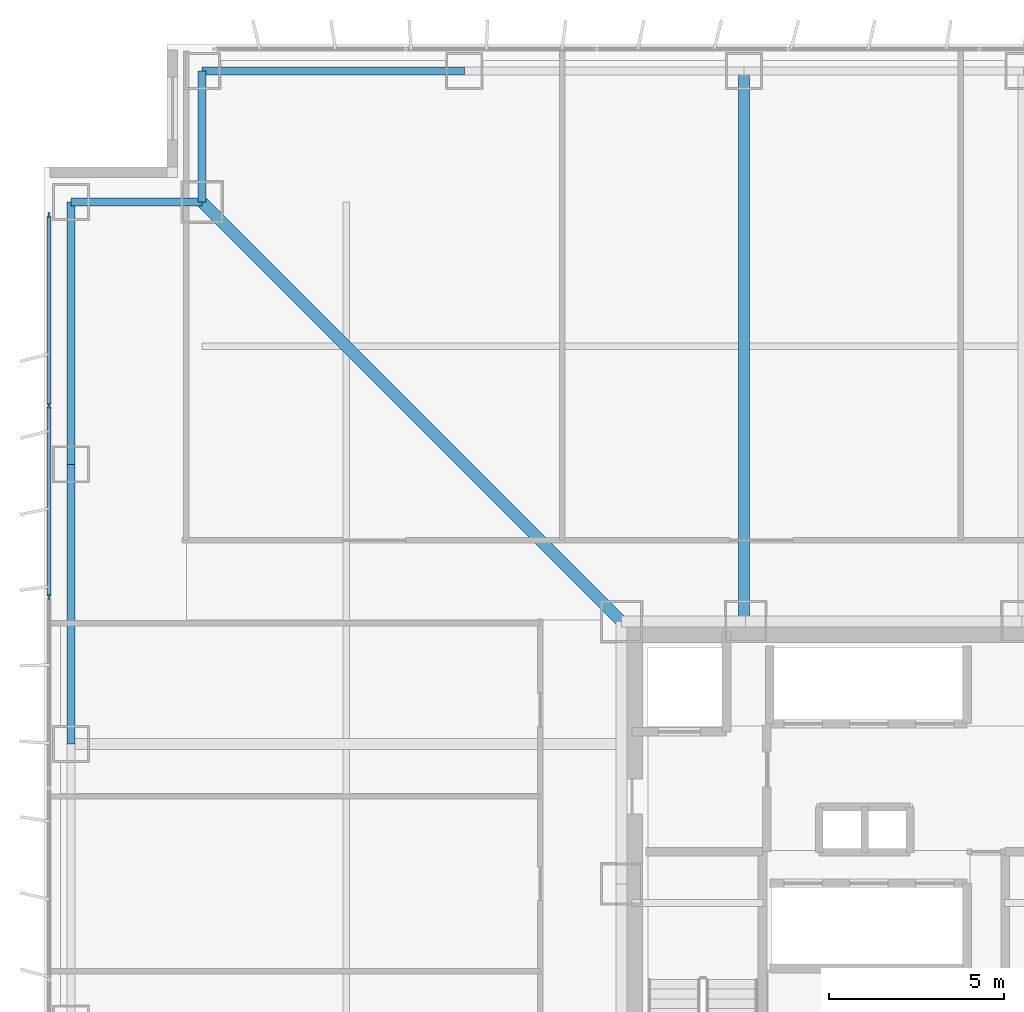
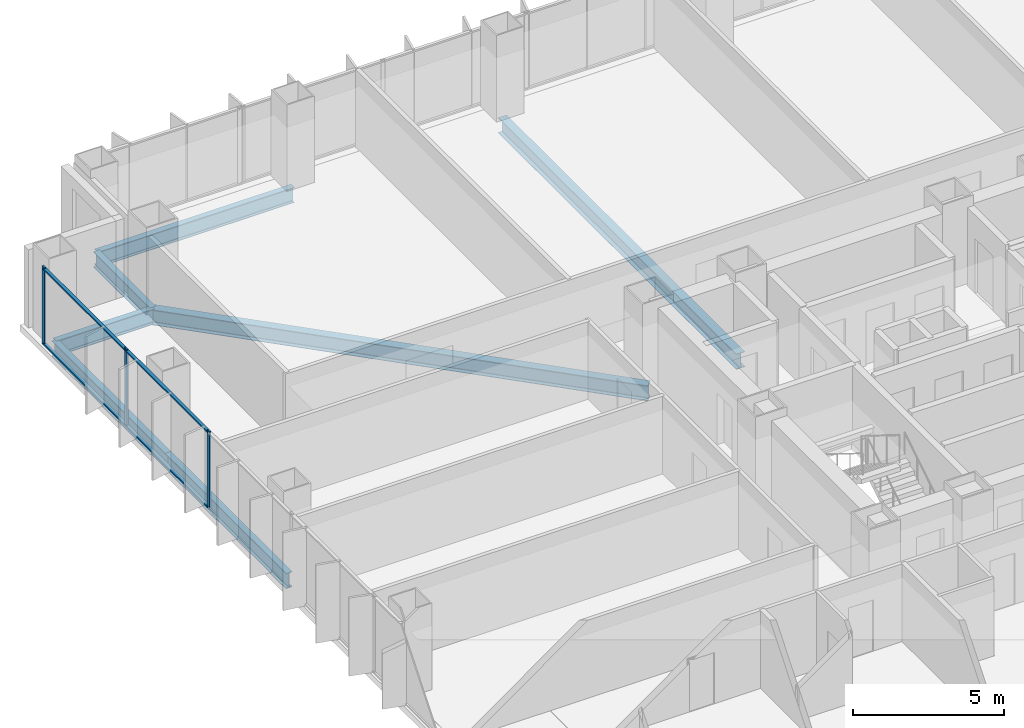
# One storey, part 9 of 19: 7 beams, 7 members, 1 element without a shape of its own.
"""IFC4 building model written with IfcOpenShell, lengths in metres."""

from ifc_helpers import new_model, si_unit, direction, frame, origin, origin_2d, place, context, subcontext, project, spatial, rectangle, i_section, extrude, material, layer, layer_set, material_profile, profile_set, type_object, element, aggregate, save


model = new_model("IFC4")

# Units and contexts
model_context = context("Model", 3, precision=1e-05, world=origin(), true_north=direction((0.0, 1.0)))
body_context = subcontext(model_context, "Body", "Model", "MODEL_VIEW")
ifc_project = project(units=[si_unit("LENGTHUNIT", "METRE"), si_unit("AREAUNIT", "SQUARE_METRE"), si_unit("VOLUMEUNIT", "CUBIC_METRE"), si_unit("PLANEANGLEUNIT", "RADIAN"), si_unit("MASSUNIT", "GRAM", prefix="KILO")], contexts=[model_context])

# Site, building, storey
site_placement = place(None, origin())
site = spatial("IfcSite", under=ifc_project, at=site_placement, CompositionType="ELEMENT")
building_placement = place(site_placement, origin())
building = spatial("IfcBuilding", under=site, at=building_placement, Name="Trevonay Congress Spire", CompositionType="ELEMENT")
storey_placement = place(building_placement, frame((0.0, 0.0, 79.5)))
storey = spatial("IfcBuildingStorey", under=building, at=storey_placement, Name="L20", CompositionType="ELEMENT", Elevation=79.5)

# Beams
ifc_material_1 = material(Name="Steel ASTM A572 Grade 50", Category="steel")
ifc_material_profile_1 = material_profile(ifc_material_1, i_section(OverallWidth=0.324951171875, OverallDepth=0.615966796875, WebThickness=0.013916015625, FlangeThickness=0.021484375, FilletRadius=0.01806640625, at=origin_2d()), Name="W610x174")
ifc_profile_set_1 = profile_set([ifc_material_profile_1], Name="Steel ASTM A572 Grade 50")
beam_type_1 = type_object("IfcBeamType", Name="BM-GIRD-W610X174", PredefinedType="BEAM", material=ifc_profile_set_1)
beam_1_placement = place(storey_placement, frame((-7.5, 7.5, -0.55810546875), z_axis=(-0.707106781187, 0.707106781187, 0.0), x_axis=(-0.707106781187, -0.707106781187, 0.0)))
element("IfcBeam", 1, at=beam_1_placement, inside=storey, type_object=beam_type_1, Name="L20 structural beam BM-L20-CDNW", PredefinedType="BEAM", context=body_context, shape_type="SweptSolid", body=[
    extrude(i_section(OverallWidth=0.324951171875, OverallDepth=0.615966796875, WebThickness=0.013916015625, FlangeThickness=0.021484375, FilletRadius=0.01806640625, at=origin_2d()), origin(), (0.0, 0.0, 1.0), 16.970458984375),
])
beam_2_placement = place(storey_placement, frame((-4.0, 7.5, -0.55810546875), z_axis=(0.0, 1.0, 0.0), x_axis=(-1.0, 0.0, 0.0)))
element("IfcBeam", 2, at=beam_2_placement, inside=storey, type_object=beam_type_1, Name="L20 structural beam BM-L20-GN-M", PredefinedType="BEAM", context=body_context, shape_type="SweptSolid", body=[
    extrude(i_section(OverallWidth=0.324951171875, OverallDepth=0.615966796875, WebThickness=0.013916015625, FlangeThickness=0.021484375, FilletRadius=0.01806640625, at=origin_2d()), origin(), (0.0, 0.0, 1.0), 15.75),
])
ifc_material_profile_2 = material_profile(ifc_material_1, i_section(OverallWidth=0.22998046875, OverallDepth=0.616943359375, WebThickness=0.01318359375, FlangeThickness=0.022216796875, FilletRadius=0.01611328125, at=origin_2d()), Name="W610x140")
ifc_profile_set_2 = profile_set([ifc_material_profile_2], Name="Steel ASTM A572 Grade 50")
beam_type_2 = type_object("IfcBeamType", Name="BM-RING-W610X140", PredefinedType="BEAM", material=ifc_profile_set_2)
beam_3_placement = place(storey_placement, frame((-19.5, 23.25, -0.55859375), z_axis=(1.0, 0.0, 0.0), x_axis=(0.0, 1.0, 0.0)))
element("IfcBeam", 3, at=beam_3_placement, inside=storey, type_object=beam_type_2, Name="L20 structural beam BM-L20-PN1", PredefinedType="BEAM", context=body_context, shape_type="SweptSolid", body=[
    extrude(i_section(OverallWidth=0.22998046875, OverallDepth=0.616943359375, WebThickness=0.01318359375, FlangeThickness=0.022216796875, FilletRadius=0.01611328125, at=origin_2d()), origin(), (0.0, 0.0, 1.0), 7.5),
])
beam_4_placement = place(storey_placement, frame((-23.25, 4.0, -0.55859375), z_axis=(0.0, 1.0, 0.0), x_axis=(-1.0, 0.0, 0.0)))
element("IfcBeam", 4, at=beam_4_placement, inside=storey, type_object=beam_type_2, Name="L20 structural beam BM-L20-PW4", PredefinedType="BEAM", context=body_context, shape_type="SweptSolid", body=[
    extrude(i_section(OverallWidth=0.22998046875, OverallDepth=0.616943359375, WebThickness=0.01318359375, FlangeThickness=0.022216796875, FilletRadius=0.01611328125, at=origin_2d()), origin(), (0.0, 0.0, 1.0), 8.0),
])
beam_5_placement = place(storey_placement, frame((-23.25, 12.0, -0.55859375), z_axis=(0.0, 1.0, 0.0), x_axis=(-1.0, 0.0, 0.0)))
element("IfcBeam", 5, at=beam_5_placement, inside=storey, type_object=beam_type_2, Name="L20 structural beam BM-L20-PW5", PredefinedType="BEAM", context=body_context, shape_type="SweptSolid", body=[
    extrude(i_section(OverallWidth=0.22998046875, OverallDepth=0.616943359375, WebThickness=0.01318359375, FlangeThickness=0.022216796875, FilletRadius=0.01611328125, at=origin_2d()), origin(), (0.0, 0.0, 1.0), 7.5),
])
for number, where, z_axis, x_axis, name in (
    (6, (-19.5, 23.25, -0.55859375), (0.0, -1.0, 0.0), (1.0, 0.0, 0.0), "L20 structural beam BM-L20-N1NW"),
    (7, (-23.25, 19.5, -0.55859375), (1.0, 0.0, 0.0), (0.0, 1.0, 0.0), "L20 structural beam BM-L20-N2NW"),
):
    element("IfcBeam", number, at=place(storey_placement, frame(where, z_axis=z_axis, x_axis=x_axis)), inside=storey, type_object=beam_type_2, Name=name, PredefinedType="BEAM", context=body_context, shape_type="SweptSolid", body=[
        extrude(i_section(OverallWidth=0.22998046875, OverallDepth=0.616943359375, WebThickness=0.01318359375, FlangeThickness=0.022216796875, FilletRadius=0.01611328125, at=origin_2d()), origin(), (0.0, 0.0, 1.0), 3.75),
    ])

# Curtain wall, members
ifc_material_2 = material(Name="Pale Anodised Aluminium EN AW-6063-T6", Category="aluminium")
ifc_layer = layer(ifc_material_2, 0.179931640625, Name="Pale Anodised Aluminium EN AW-6063-T6")
ifc_layer_set = layer_set([ifc_layer], Name="Pale Anodised Aluminium EN AW-6063-T6")
curtain_wall_type = type_object("IfcCurtainWallType", Name="CW-SYS02-HOTEL-PALE-METAL", PredefinedType="NOTDEFINED", material=ifc_layer_set)
curtain_wall_placement = place(storey_placement, origin())
curtain_wall = element("IfcCurtainWall", 8, at=curtain_wall_placement, inside=storey, type_object=curtain_wall_type, Name="L20 W unitised curtain wall", PredefinedType="NOTDEFINED")
ifc_material_profile_3 = material_profile(ifc_material_2, rectangle(XDim=0.06005859375, YDim=0.159912109375, at=origin_2d()), Name="CW-MULLION-160-ALUMINIUM")
ifc_profile_set_3 = profile_set([ifc_material_profile_3], Name="Pale Anodised Aluminium EN AW-6063-T6")
member_type_1 = type_object("IfcMemberType", Name="CW-MULLION-160-ALUMINIUM", PredefinedType="MULLION", material=ifc_profile_set_3)
member_1_placement = place(storey_placement, frame((-23.8798828125, 8.20703125, 0.0), z_axis=(0.0, 0.0, 1.0), x_axis=(-1.0, 0.0, 0.0)))
member_1 = element("IfcMember", 9, at=member_1_placement, type_object=member_type_1, Name="CW02 mullion 6", PredefinedType="MULLION", context=body_context, shape_type="SweptSolid", body=[
    extrude(rectangle(XDim=0.06005859375, YDim=0.159912109375, at=origin_2d()), origin(), (0.0, 0.0, 1.0), 3.14990234375),
])
member_2_placement = place(storey_placement, frame((-23.8798828125, 13.678466796875, 0.0), z_axis=(0.0, 0.0, 1.0), x_axis=(-1.0, 0.0, 0.0)))
member_2 = element("IfcMember", 10, at=member_2_placement, type_object=member_type_1, Name="CW02 mullion 7", PredefinedType="MULLION", context=body_context, shape_type="SweptSolid", body=[
    extrude(rectangle(XDim=0.06005859375, YDim=0.159912109375, at=origin_2d()), origin(), (0.0, 0.0, 1.0), 3.14990234375),
])
member_3_placement = place(storey_placement, frame((-23.8798828125, 19.1201171875, 0.0), z_axis=(0.0, 0.0, 1.0), x_axis=(-1.0, 0.0, 0.0)))
member_3 = element("IfcMember", 11, at=member_3_placement, type_object=member_type_1, Name="CW02 mullion 8", PredefinedType="MULLION", context=body_context, shape_type="SweptSolid", body=[
    extrude(rectangle(XDim=0.06005859375, YDim=0.159912109375, at=origin_2d()), origin(), (0.0, 0.0, 1.0), 3.14990234375),
])
ifc_material_profile_4 = material_profile(ifc_material_2, rectangle(XDim=0.1201171875, YDim=0.06005859375, at=origin_2d()), Name="CW-TRANSOM-120-ALUMINIUM")
ifc_profile_set_4 = profile_set([ifc_material_profile_4], Name="Pale Anodised Aluminium EN AW-6063-T6")
member_type_2 = type_object("IfcMemberType", Name="CW-TRANSOM-120-ALUMINIUM", PredefinedType="USERDEFINED", material=ifc_profile_set_4)
member_4_placement = place(storey_placement, frame((-23.8798828125, 8.237060546875, 0.06005859375), z_axis=(0.0, 1.0, 0.0), x_axis=(-1.0, 0.0, 0.0)))
member_4 = element("IfcMember", 12, at=member_4_placement, type_object=member_type_2, Name="CW02 transom 6.1", ObjectType="TRANSOM", PredefinedType="USERDEFINED", context=body_context, shape_type="SweptSolid", body=[
    extrude(rectangle(XDim=0.1201171875, YDim=0.06005859375, at=origin_2d()), origin(), (0.0, 0.0, 1.0), 5.41162109375),
])
member_5_placement = place(storey_placement, frame((-23.8798828125, 8.237060546875, 3.090087890625), z_axis=(0.0, 1.0, 0.0), x_axis=(-1.0, 0.0, 0.0)))
member_5 = element("IfcMember", 13, at=member_5_placement, type_object=member_type_2, Name="CW02 transom 6.2", ObjectType="TRANSOM", PredefinedType="USERDEFINED", context=body_context, shape_type="SweptSolid", body=[
    extrude(rectangle(XDim=0.1201171875, YDim=0.06005859375, at=origin_2d()), origin(), (0.0, 0.0, 1.0), 5.41162109375),
])
member_6_placement = place(storey_placement, frame((-23.8798828125, 13.70849609375, 0.06005859375), z_axis=(0.0, 1.0, 0.0), x_axis=(-1.0, 0.0, 0.0)))
member_6 = element("IfcMember", 14, at=member_6_placement, type_object=member_type_2, Name="CW02 transom 7.1", ObjectType="TRANSOM", PredefinedType="USERDEFINED", context=body_context, shape_type="SweptSolid", body=[
    extrude(rectangle(XDim=0.1201171875, YDim=0.06005859375, at=origin_2d()), origin(), (0.0, 0.0, 1.0), 5.381591796875),
])
member_7_placement = place(storey_placement, frame((-23.8798828125, 13.70849609375, 3.090087890625), z_axis=(0.0, 1.0, 0.0), x_axis=(-1.0, 0.0, 0.0)))
member_7 = element("IfcMember", 15, at=member_7_placement, type_object=member_type_2, Name="CW02 transom 7.2", ObjectType="TRANSOM", PredefinedType="USERDEFINED", context=body_context, shape_type="SweptSolid", body=[
    extrude(rectangle(XDim=0.1201171875, YDim=0.06005859375, at=origin_2d()), origin(), (0.0, 0.0, 1.0), 5.381591796875),
])
aggregate(curtain_wall, [member_1, member_2, member_3, member_4, member_5, member_6, member_7])

save(model, "model.ifc")
